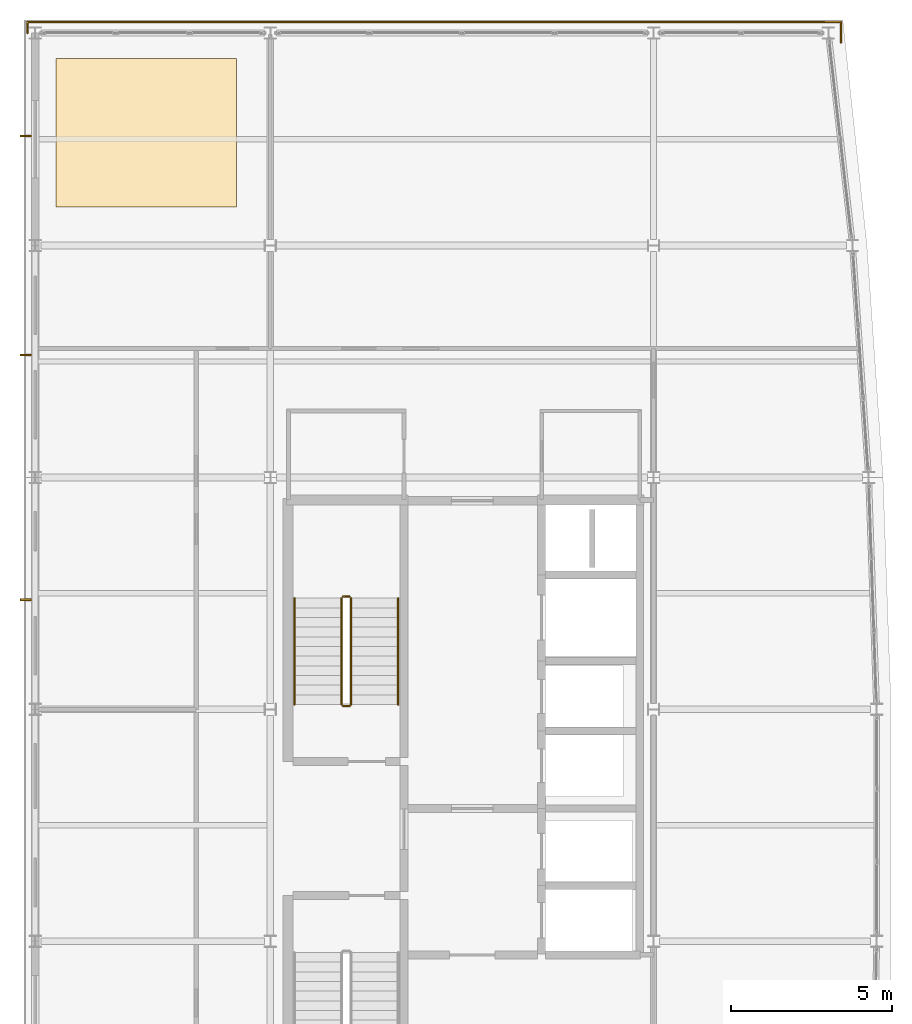
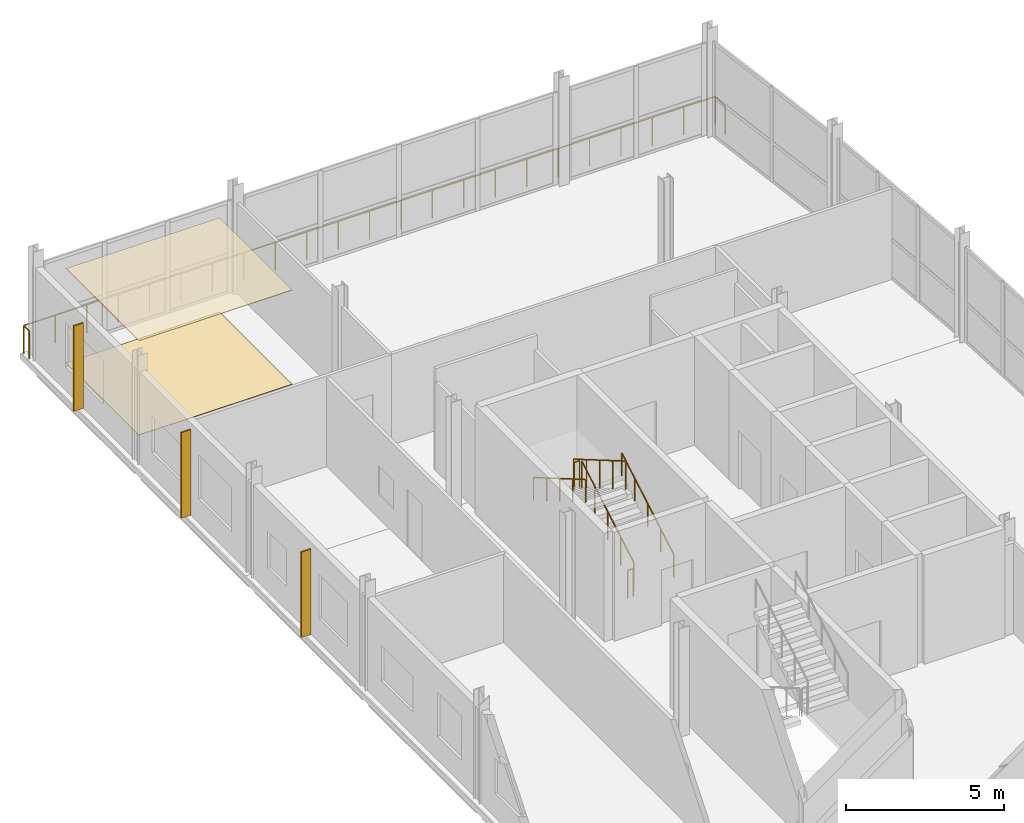
# One storey, part 16 of 16: 7 railings, 3 shading devices, 2 coverings.
"""IFC4 building model written with IfcOpenShell, lengths in metres."""

from ifc_helpers import new_model, si_unit, direction, frame, origin, origin_2d, place, context, subcontext, project, spatial, polyline, rectangle, circle, outline, extrude, material, layer, layer_set, type_object, element, save


model = new_model("IFC4")

# Units and contexts
model_context = context("Model", 3, precision=1e-05, world=origin(), true_north=direction((0.0, 1.0)))
body_context = subcontext(model_context, "Body", "Model", "MODEL_VIEW")
ifc_project = project(units=[si_unit("LENGTHUNIT", "METRE"), si_unit("AREAUNIT", "SQUARE_METRE"), si_unit("VOLUMEUNIT", "CUBIC_METRE"), si_unit("PLANEANGLEUNIT", "RADIAN"), si_unit("MASSUNIT", "GRAM", prefix="KILO")], contexts=[model_context])

# Site, building, storey
site_placement = place(None, origin())
site = spatial("IfcSite", under=ifc_project, at=site_placement, CompositionType="ELEMENT")
building_placement = place(site_placement, origin())
building = spatial("IfcBuilding", under=site, at=building_placement, Name="Quillay Park Conservatory", CompositionType="ELEMENT")
storey_placement = place(building_placement, frame((0.0, 0.0, 43.5)))
storey = spatial("IfcBuildingStorey", under=building, at=storey_placement, Name="L10", CompositionType="ELEMENT", Elevation=43.5)

# Coverings
ifc_material_1 = material(Name="Perforated Mineral-Fibre Acoustic Ceiling")
ifc_layer_1 = layer(ifc_material_1, 0.02490234375)
ifc_layer_set_1 = layer_set([ifc_layer_1], Name="ACOUSTIC MINERAL CEILING 25 (Perforated Mineral-Fibre Acoustic Ceiling)")
covering_type_1 = type_object("IfcCoveringType", Name="ACOUSTIC MINERAL CEILING 25", PredefinedType="CEILING", material=ifc_layer_set_1)
covering_1_placement = place(storey_placement, frame((0.0, 0.0, 3.636962890625)))
element("IfcCovering", 1, at=covering_1_placement, inside=storey, type_object=covering_type_1, Name="L10 Suspended Acoustic Ceiling", PredefinedType="CEILING", context=body_context, shape_type="SweptSolid", body=[
    extrude(outline(polyline([(1.199951171875, 108.0), (6.800048828125, 108.0), (6.800048828125, 112.60009765625), (1.199951171875, 112.60009765625), (1.199951171875, 108.0)])), origin(), (0.0, 0.0, 1.0), 0.025146484375),
])
ifc_material_2 = material(Name="Seamless Chemical-Resistant Epoxy Flooring")
ifc_layer_2 = layer(ifc_material_2, 0.01806640625)
ifc_layer_set_2 = layer_set([ifc_layer_2], Name="SEAMLESS EPOXY LAB FLOORING 18 (Seamless Chemical-Resistant Epoxy Flooring)")
covering_type_2 = type_object("IfcCoveringType", Name="SEAMLESS EPOXY LAB FLOORING 18", PredefinedType="FLOORING", material=ifc_layer_set_2)
covering_2_placement = place(storey_placement, origin())
element("IfcCovering", 2, at=covering_2_placement, inside=storey, type_object=covering_type_2, Name="L10 Interior Flooring Finish", PredefinedType="FLOORING", context=body_context, shape_type="SweptSolid", body=[
    extrude(outline(polyline([(1.199951171875, 108.0), (6.800048828125, 108.0), (6.800048828125, 112.60009765625), (1.199951171875, 112.60009765625), (1.199951171875, 108.0)])), origin(), (0.0, 0.0, 1.0), 0.01806640625),
])

# Railings
ifc_material_3 = material(Name="Steel S355J2H", Category="steel")
railing_type_1 = type_object("IfcRailingType", Name="STAIR WALL HANDRAIL 900", PredefinedType="HANDRAIL", material=ifc_material_3)
railing_1_placement = place(storey_placement, frame((11.820068359375, 92.550048828125, 0.175048828125)))
element("IfcRailing", 3, at=railing_1_placement, inside=storey, type_object=railing_type_1, Name="L10 ST-T1 stair handrail 1", PredefinedType="HANDRAIL", context=body_context, shape_type="SweptSolid", body=[
    extrude(circle(Radius=0.02392578125, at=origin_2d()), frame((0.0, 0.0, 0.8759765625), z_axis=(0.0, 0.863776583165, 0.503874998761), x_axis=(-1.0, 0.0, 0.0)), (0.0, 0.0, 1.0), 3.820556640625),
    extrude(circle(Radius=0.02099609375, at=origin_2d()), origin(), (0.0, 0.0, 1.0), 0.851806640625),
    extrude(circle(Radius=0.02099609375, at=origin_2d()), frame((0.0, 0.824951171875, 0.481201171875)), (0.0, 0.0, 1.0), 0.851806640625),
    extrude(circle(Radius=0.02099609375, at=origin_2d()), frame((0.0, 1.64990234375, 0.96240234375)), (0.0, 0.0, 1.0), 0.851806640625),
    extrude(circle(Radius=0.02099609375, at=origin_2d()), frame((0.0, 2.47509765625, 1.44384765625)), (0.0, 0.0, 1.0), 0.851806640625),
    extrude(circle(Radius=0.02099609375, at=origin_2d()), frame((0.0, 3.300048828125, 1.925048828125)), (0.0, 0.0, 1.0), 0.851806640625),
])
railing_2_placement = place(storey_placement, frame((8.60009765625, 95.85009765625, 2.27490234375)))
element("IfcRailing", 4, at=railing_2_placement, inside=storey, type_object=railing_type_1, Name="L10 ST-T1 stair handrail 2", PredefinedType="HANDRAIL", context=body_context, shape_type="SweptSolid", body=[
    extrude(circle(Radius=0.02392578125, at=origin_2d()), frame((0.0, 0.0, 0.8759765625), z_axis=(0.0, -0.863776583165, 0.503874998761), x_axis=(1.0, 0.0, 0.0)), (0.0, 0.0, 1.0), 3.820556640625),
    extrude(circle(Radius=0.02099609375, at=origin_2d()), origin(), (0.0, 0.0, 1.0), 0.851806640625),
    extrude(circle(Radius=0.02099609375, at=origin_2d()), frame((0.0, -0.824951171875, 0.481201171875)), (0.0, 0.0, 1.0), 0.851806640625),
    extrude(circle(Radius=0.02099609375, at=origin_2d()), frame((0.0, -1.64990234375, 0.96240234375)), (0.0, 0.0, 1.0), 0.851806640625),
    extrude(circle(Radius=0.02099609375, at=origin_2d()), frame((0.0, -2.47509765625, 1.44384765625)), (0.0, 0.0, 1.0), 0.851806640625),
    extrude(circle(Radius=0.02099609375, at=origin_2d()), frame((0.0, -3.300048828125, 1.925048828125)), (0.0, 0.0, 1.0), 0.851806640625),
])
ifc_material_4 = material(Name="Steel S355J2H", Category="steel")
railing_type_2 = type_object("IfcRailingType", Name="STAIR WELL GUARDRAIL 1100", PredefinedType="GUARDRAIL", material=ifc_material_4)
railing_3_placement = place(storey_placement, frame((10.360107421875, 92.550048828125, 0.175048828125)))
element("IfcRailing", 5, at=railing_3_placement, inside=storey, type_object=railing_type_2, Name="L10 ST-T1 stair guard 1", PredefinedType="GUARDRAIL", context=body_context, shape_type="SweptSolid", body=[
    extrude(circle(Radius=0.02392578125, at=origin_2d()), frame((0.0, 0.0, 1.076171875), z_axis=(0.0, 0.863776583165, 0.503874998761), x_axis=(-1.0, 0.0, 0.0)), (0.0, 0.0, 1.0), 3.820556640625),
    extrude(circle(Radius=0.02099609375, at=origin_2d()), origin(), (0.0, 0.0, 1.0), 1.052001953125),
    extrude(circle(Radius=0.02099609375, at=origin_2d()), frame((0.0, 0.824951171875, 0.481201171875)), (0.0, 0.0, 1.0), 1.052001953125),
    extrude(circle(Radius=0.02099609375, at=origin_2d()), frame((0.0, 1.64990234375, 0.96240234375)), (0.0, 0.0, 1.0), 1.052001953125),
    extrude(circle(Radius=0.02099609375, at=origin_2d()), frame((0.0, 2.47509765625, 1.44384765625)), (0.0, 0.0, 1.0), 1.052001953125),
    extrude(circle(Radius=0.02099609375, at=origin_2d()), frame((0.0, 3.300048828125, 1.925048828125)), (0.0, 0.0, 1.0), 1.052001953125),
])
railing_4_placement = place(storey_placement, frame((10.31005859375, 95.89990234375, 2.10009765625)))
element("IfcRailing", 6, at=railing_4_placement, inside=storey, type_object=railing_type_2, Name="L10 ST-T1 stair guard 2", PredefinedType="GUARDRAIL", context=body_context, shape_type="SweptSolid", body=[
    extrude(circle(Radius=0.02392578125, at=origin_2d()), frame((0.0, 0.0, 1.076171875), z_axis=(-1.0, 0.0, 0.0), x_axis=(0.0, -1.0, 0.0)), (0.0, 0.0, 1.0), 0.199951171875),
    extrude(circle(Radius=0.02099609375, at=origin_2d()), origin(), (0.0, 0.0, 1.0), 1.052001953125),
    extrude(circle(Radius=0.02099609375, at=origin_2d()), frame((-0.199951171875, 0.0, 0.0)), (0.0, 0.0, 1.0), 1.052001953125),
])
railing_5_placement = place(storey_placement, frame((10.06005859375, 95.85009765625, 2.27490234375)))
element("IfcRailing", 7, at=railing_5_placement, inside=storey, type_object=railing_type_2, Name="L10 ST-T1 stair guard 3", PredefinedType="GUARDRAIL", context=body_context, shape_type="SweptSolid", body=[
    extrude(circle(Radius=0.02392578125, at=origin_2d()), frame((0.0, 0.0, 1.076171875), z_axis=(0.0, -0.863776583165, 0.503874998761), x_axis=(1.0, 0.0, 0.0)), (0.0, 0.0, 1.0), 3.820556640625),
    extrude(circle(Radius=0.02099609375, at=origin_2d()), origin(), (0.0, 0.0, 1.0), 1.052001953125),
    extrude(circle(Radius=0.02099609375, at=origin_2d()), frame((0.0, -0.824951171875, 0.481201171875)), (0.0, 0.0, 1.0), 1.052001953125),
    extrude(circle(Radius=0.02099609375, at=origin_2d()), frame((0.0, -1.64990234375, 0.96240234375)), (0.0, 0.0, 1.0), 1.052001953125),
    extrude(circle(Radius=0.02099609375, at=origin_2d()), frame((0.0, -2.47509765625, 1.44384765625)), (0.0, 0.0, 1.0), 1.052001953125),
    extrude(circle(Radius=0.02099609375, at=origin_2d()), frame((0.0, -3.300048828125, 1.925048828125)), (0.0, 0.0, 1.0), 1.052001953125),
])
railing_6_placement = place(storey_placement, frame((10.31005859375, 92.5, 0.0)))
element("IfcRailing", 8, at=railing_6_placement, inside=storey, type_object=railing_type_2, Name="L10 ST-T1 stair guard 4", PredefinedType="GUARDRAIL", context=body_context, shape_type="SweptSolid", body=[
    extrude(circle(Radius=0.02392578125, at=origin_2d()), frame((0.0, 0.0, 1.076171875), z_axis=(-1.0, 0.0, 0.0), x_axis=(0.0, -1.0, 0.0)), (0.0, 0.0, 1.0), 0.199951171875),
    extrude(circle(Radius=0.02099609375, at=origin_2d()), origin(), (0.0, 0.0, 1.0), 1.052001953125),
    extrude(circle(Radius=0.02099609375, at=origin_2d()), frame((-0.199951171875, 0.0, 0.0)), (0.0, 0.0, 1.0), 1.052001953125),
])
ifc_material_5 = material(Name="Steel S355J2H", Category="steel")
railing_type_3 = type_object("IfcRailingType", Name="TERRACE PERIMETER GUARDRAIL 1100", PredefinedType="GUARDRAIL", material=ifc_material_5)
railing_7_placement = place(storey_placement, frame((0.31005859375, 113.39990234375, 0.0)))
element("IfcRailing", 9, at=railing_7_placement, inside=storey, type_object=railing_type_3, Name="L10 Perimeter Safety Guardrail 036", PredefinedType="GUARDRAIL", context=body_context, shape_type="SweptSolid", body=[
    extrude(circle(Radius=0.02392578125, at=origin_2d()), frame((0.0, 0.0, 1.076171875), z_axis=(0.0, 1.0, 0.0), x_axis=(-1.0, 0.0, 0.0)), (0.0, 0.0, 1.0), 0.340087890625),
    extrude(circle(Radius=0.02392578125, at=origin_2d()), frame((0.0, 0.340087890625, 1.076171875), z_axis=(1.0, 0.0, 0.0), x_axis=(0.0, 1.0, 0.0)), (0.0, 0.0, 1.0), 25.2548828125),
    extrude(circle(Radius=0.02392578125, at=origin_2d()), frame((25.2548828125, 0.340087890625, 1.076171875), z_axis=(0.0, -1.0, 0.0), x_axis=(1.0, 0.0, 0.0)), (0.0, 0.0, 1.0), 0.639892578125),
    extrude(circle(Radius=0.02099609375, at=origin_2d()), origin(), (0.0, 0.0, 1.0), 1.052001953125),
    extrude(circle(Radius=0.02099609375, at=origin_2d()), frame((0.0, 0.340087890625, 0.0)), (0.0, 0.0, 1.0), 1.052001953125),
    extrude(circle(Radius=0.02099609375, at=origin_2d()), frame((1.14794921875, 0.340087890625, 0.0)), (0.0, 0.0, 1.0), 1.052001953125),
    extrude(circle(Radius=0.02099609375, at=origin_2d()), frame((2.2958984375, 0.340087890625, 0.0)), (0.0, 0.0, 1.0), 1.052001953125),
    extrude(circle(Radius=0.02099609375, at=origin_2d()), frame((3.44384765625, 0.340087890625, 0.0)), (0.0, 0.0, 1.0), 1.052001953125),
    extrude(circle(Radius=0.02099609375, at=origin_2d()), frame((4.591796875, 0.340087890625, 0.0)), (0.0, 0.0, 1.0), 1.052001953125),
    extrude(circle(Radius=0.02099609375, at=origin_2d()), frame((5.73974609375, 0.340087890625, 0.0)), (0.0, 0.0, 1.0), 1.052001953125),
    extrude(circle(Radius=0.02099609375, at=origin_2d()), frame((6.8876953125, 0.340087890625, 0.0)), (0.0, 0.0, 1.0), 1.052001953125),
    extrude(circle(Radius=0.02099609375, at=origin_2d()), frame((8.03564453125, 0.340087890625, 0.0)), (0.0, 0.0, 1.0), 1.052001953125),
    extrude(circle(Radius=0.02099609375, at=origin_2d()), frame((9.18359375, 0.340087890625, 0.0)), (0.0, 0.0, 1.0), 1.052001953125),
    extrude(circle(Radius=0.02099609375, at=origin_2d()), frame((10.33154296875, 0.340087890625, 0.0)), (0.0, 0.0, 1.0), 1.052001953125),
    extrude(circle(Radius=0.02099609375, at=origin_2d()), frame((11.4794921875, 0.340087890625, 0.0)), (0.0, 0.0, 1.0), 1.052001953125),
    extrude(circle(Radius=0.02099609375, at=origin_2d()), frame((12.62744140625, 0.340087890625, 0.0)), (0.0, 0.0, 1.0), 1.052001953125),
    extrude(circle(Radius=0.02099609375, at=origin_2d()), frame((13.775390625, 0.340087890625, 0.0)), (0.0, 0.0, 1.0), 1.052001953125),
    extrude(circle(Radius=0.02099609375, at=origin_2d()), frame((14.92333984375, 0.340087890625, 0.0)), (0.0, 0.0, 1.0), 1.052001953125),
    extrude(circle(Radius=0.02099609375, at=origin_2d()), frame((16.0712890625, 0.340087890625, 0.0)), (0.0, 0.0, 1.0), 1.052001953125),
    extrude(circle(Radius=0.02099609375, at=origin_2d()), frame((17.21923828125, 0.340087890625, 0.0)), (0.0, 0.0, 1.0), 1.052001953125),
    extrude(circle(Radius=0.02099609375, at=origin_2d()), frame((18.3671875, 0.340087890625, 0.0)), (0.0, 0.0, 1.0), 1.052001953125),
    extrude(circle(Radius=0.02099609375, at=origin_2d()), frame((19.51513671875, 0.340087890625, 0.0)), (0.0, 0.0, 1.0), 1.052001953125),
    extrude(circle(Radius=0.02099609375, at=origin_2d()), frame((20.6630859375, 0.340087890625, 0.0)), (0.0, 0.0, 1.0), 1.052001953125),
    extrude(circle(Radius=0.02099609375, at=origin_2d()), frame((21.81103515625, 0.340087890625, 0.0)), (0.0, 0.0, 1.0), 1.052001953125),
    extrude(circle(Radius=0.02099609375, at=origin_2d()), frame((22.958984375, 0.340087890625, 0.0)), (0.0, 0.0, 1.0), 1.052001953125),
    extrude(circle(Radius=0.02099609375, at=origin_2d()), frame((24.10693359375, 0.340087890625, 0.0)), (0.0, 0.0, 1.0), 1.052001953125),
    extrude(circle(Radius=0.02099609375, at=origin_2d()), frame((25.2548828125, 0.340087890625, 0.0)), (0.0, 0.0, 1.0), 1.052001953125),
    extrude(circle(Radius=0.02099609375, at=origin_2d()), frame((25.2548828125, -0.2998046875, 0.0)), (0.0, 0.0, 1.0), 1.052001953125),
])

# Shading devices
ifc_material_6 = material(Name="Perforated Copper-Bronze Anodised Aluminium", Category="aluminium")
shading_device_type = type_object("IfcShadingDeviceType", Name="COPPER BRONZE SOLAR FIN", PredefinedType="USERDEFINED", material=ifc_material_6)
for number, where, z_axis, x_axis, name in (
    (10, (0.2548828125, 95.800048828125, 0.0), (0.0, 0.0, 1.0), (1.0, 0.0, 0.0), "L10 Perforated Copper-Bronze Solar Fin 033"),
    (11, (0.2548828125, 103.39990234375, 0.0), (0.0, 0.0, 1.0), (1.0, 0.0, 0.0), "L10 Perforated Copper-Bronze Solar Fin 034"),
    (12, (0.2548828125, 110.199951171875, 0.0), (0.0, 0.0, 1.0), (1.0, 0.0, 0.0), "L10 Perforated Copper-Bronze Solar Fin 035"),
):
    element("IfcShadingDevice", number, at=place(storey_placement, frame(where, z_axis=z_axis, x_axis=x_axis)), inside=storey, type_object=shading_device_type, Name=name, ObjectType="SOLAR FIN", PredefinedType="USERDEFINED", context=body_context, shape_type="SweptSolid", body=[
        extrude(rectangle(XDim=0.35009765625, YDim=0.054931640625, at=origin_2d()), origin(), (0.0, 0.0, 1.0), 3.300048828125),
    ])

save(model, "model.ifc")
